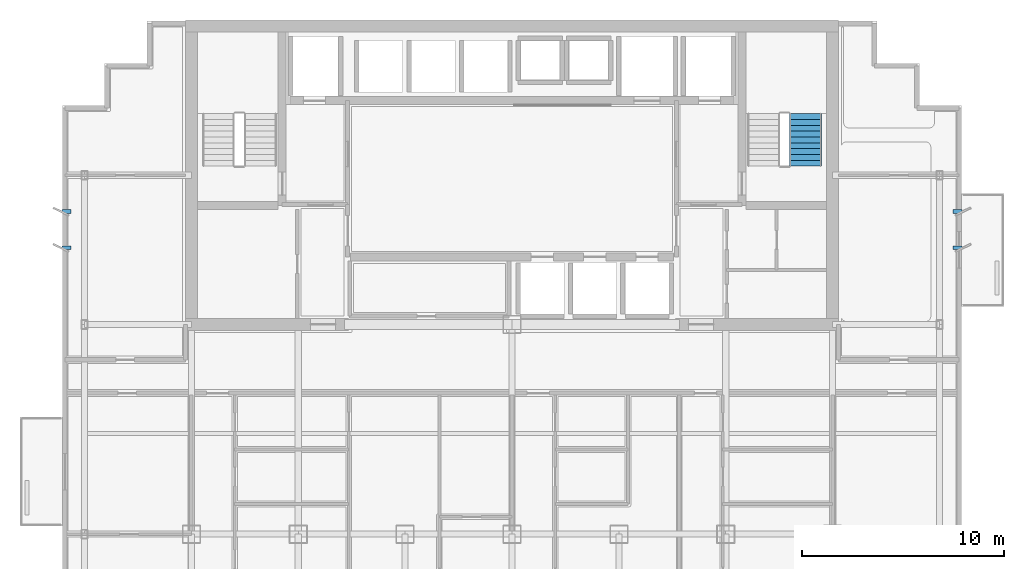
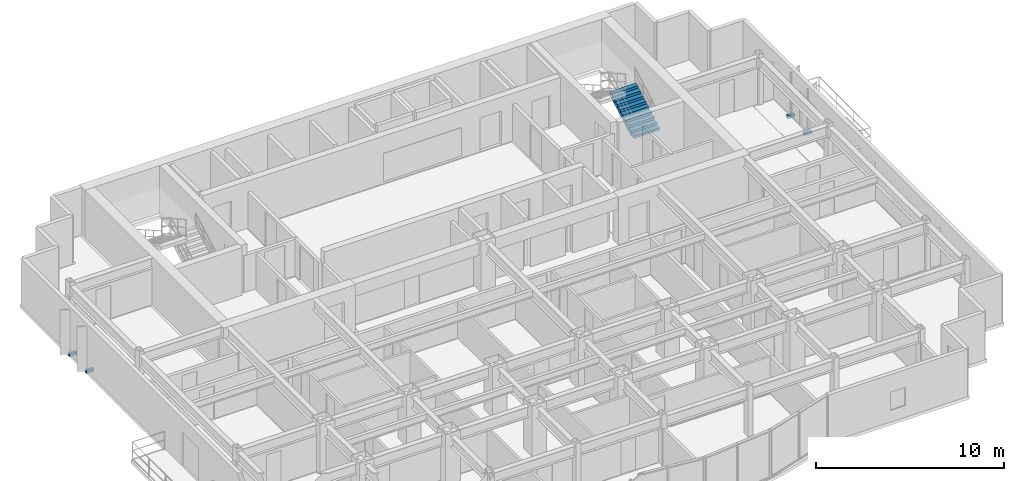
# One storey, part 9 of 11: 4 discrete accessories, 1 stair flight, 1 element without a shape of its own.
"""IFC4 building model written with IfcOpenShell, lengths in metres."""

from ifc_helpers import new_model, si_unit, direction, frame, origin, origin_2d, place, context, subcontext, project, spatial, polyline, rectangle, outline, extrude, source, transform, mapped, material, type_object, element, aggregate, save


model = new_model("IFC4")

# Units and contexts
model_context = context("Model", 3, precision=1e-05, world=origin(), true_north=direction((0.0, 1.0)))
body_context = subcontext(model_context, "Body", "Model", "MODEL_VIEW")
ifc_project = project(units=[si_unit("LENGTHUNIT", "METRE"), si_unit("AREAUNIT", "SQUARE_METRE"), si_unit("VOLUMEUNIT", "CUBIC_METRE"), si_unit("PLANEANGLEUNIT", "RADIAN"), si_unit("MASSUNIT", "GRAM", prefix="KILO")], contexts=[model_context])

# Site, building, storey
site_placement = place(None, origin())
site = spatial("IfcSite", under=ifc_project, at=site_placement, CompositionType="ELEMENT")
building_placement = place(site_placement, origin())
building = spatial("IfcBuilding", under=site, at=building_placement, Name="Qianlan Lanfeng Residences", CompositionType="ELEMENT")
storey_placement = place(building_placement, frame((0.0, 0.0, 155.699951171875)))
storey = spatial("IfcBuildingStorey", under=building, at=storey_placement, Name="L42", CompositionType="ELEMENT", Elevation=155.699951171875)

# Stair, stair flight
ifc_material_1 = material(Name="Concrete C42", Category="concrete")
stair_type = type_object("IfcStairType", Name="STR-MAIN", PredefinedType="HALF_TURN_STAIR", material=ifc_material_1)
stair_placement = place(storey_placement, origin())
stair = element("IfcStair", 1, at=stair_placement, inside=storey, type_object=stair_type, Name="L42 Exit Stair ST-2", PredefinedType="HALF_TURN_STAIR")
stair_flight_type = type_object("IfcStairFlightType", Name="FLT-1720", PredefinedType="STRAIGHT", material=ifc_material_1)
stair_flight_placement = place(storey_placement, frame((41.06005859375, 33.050048828125, 0.0), z_axis=(0.0, 0.0, 1.0), x_axis=(0.0, 1.0, 0.0)))
stair_flight = element("IfcStairFlight", 2, at=stair_flight_placement, type_object=stair_flight_type, Name="ST-2 flight 1", NumberOfRisers=10, NumberOfTreads=9, PredefinedType="STRAIGHT", RiserHeight=0.165, TreadLength=0.29, context=body_context, shape_type="SweptSolid", body=[
    extrude(outline(polyline([(0.0, 0.0), (0.0, 0.1650390625), (0.2900390625, 0.1650390625), (0.2900390625, 0.330078125), (0.580078125, 0.330078125), (0.580078125, 0.4951171875), (0.8701171875, 0.4951171875), (0.8701171875, 0.659912109375), (1.159912109375, 0.659912109375), (1.159912109375, 0.824951171875), (1.449951171875, 0.824951171875), (1.449951171875, 0.989990234375), (1.739990234375, 0.989990234375), (1.739990234375, 1.155029296875), (2.030029296875, 1.155029296875), (2.030029296875, 1.320068359375), (2.320068359375, 1.320068359375), (2.320068359375, 1.485107421875), (2.610107421875, 1.485107421875), (2.610107421875, 1.64990234375), (2.610107421875, 1.278076171875), (0.36376953125, 0.0), (0.0, 0.0)])), frame((0.0, 0.800048828125, 0.0), z_axis=(0.0, -1.0, 0.0), x_axis=(1.0, 0.0, 0.0)), (0.0, 0.0, 1.0), 1.60009765625),
])
aggregate(stair, [stair_flight])

# Discrete accessories
ifc_material_2 = material(Name="Stainless Steel Facade Bracket", Category="steel")
discrete_accessory_type = type_object("IfcDiscreteAccessoryType", Name="BRK-SS-350", PredefinedType="BRACKET", material=ifc_material_2)
shared_shape = source(origin(), body_context, "Body", "SweptSolid", [
    extrude(rectangle(XDim=0.449951171875, YDim=0.179931640625, at=origin_2d()), origin(), (0.0, 0.0, 1.0), 0.179931640625),
])
for number, where, z_axis, x_axis, name in (
    (3, (4.39990234375, 29.0, -0.14990234375), (0.0, 0.0, 1.0), (1.0, 0.0, 0.0), "L42 Raked Solar Fin Support Bracket W1"),
    (4, (4.39990234375, 30.800048828125, -0.14990234375), (0.0, 0.0, 1.0), (1.0, 0.0, 0.0), "L42 Raked Solar Fin Support Bracket W2"),
    (5, (48.60009765625, 29.0, -0.14990234375), (0.0, 0.0, 1.0), (1.0, 0.0, 0.0), "L42 Raked Solar Fin Support Bracket E1"),
    (6, (48.60009765625, 30.800048828125, -0.14990234375), (0.0, 0.0, 1.0), (1.0, 0.0, 0.0), "L42 Raked Solar Fin Support Bracket E2"),
):
    element("IfcDiscreteAccessory", number, at=place(storey_placement, frame(where, z_axis=z_axis, x_axis=x_axis)), inside=storey, type_object=discrete_accessory_type, Name=name, PredefinedType="BRACKET", context=body_context, shape_type="MappedRepresentation", body=[
        mapped(shared_shape, transform((0.0, 0.0, 0.0), scale=1.0)),
    ])

save(model, "model.ifc")
